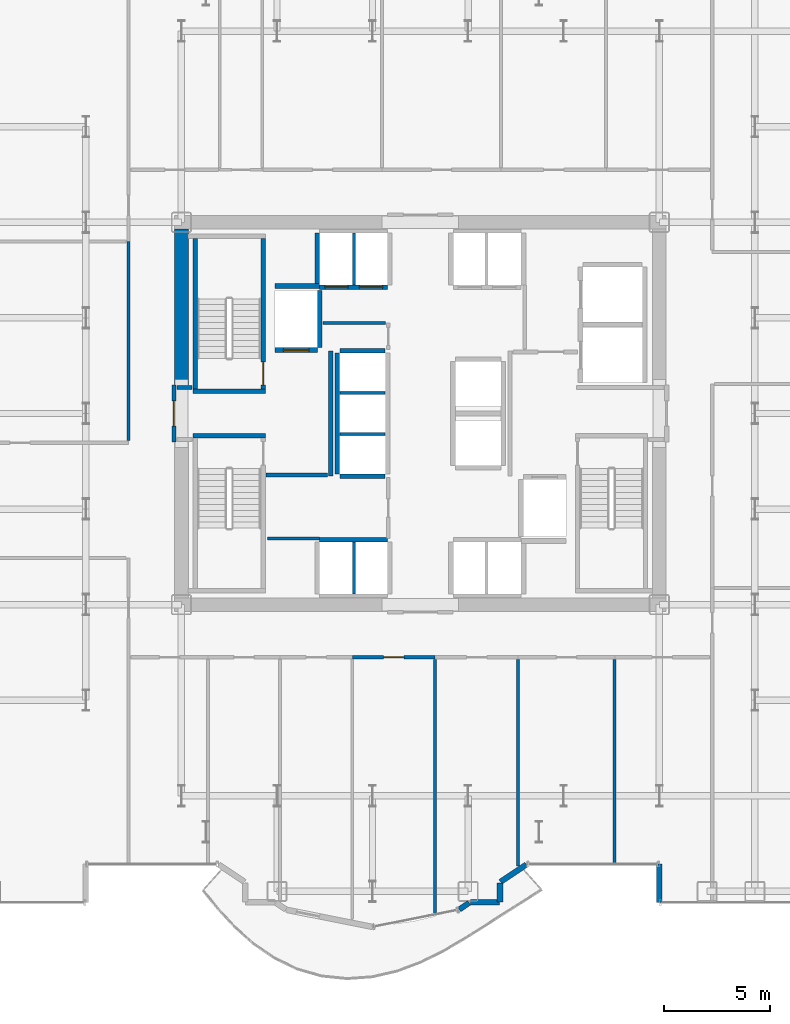
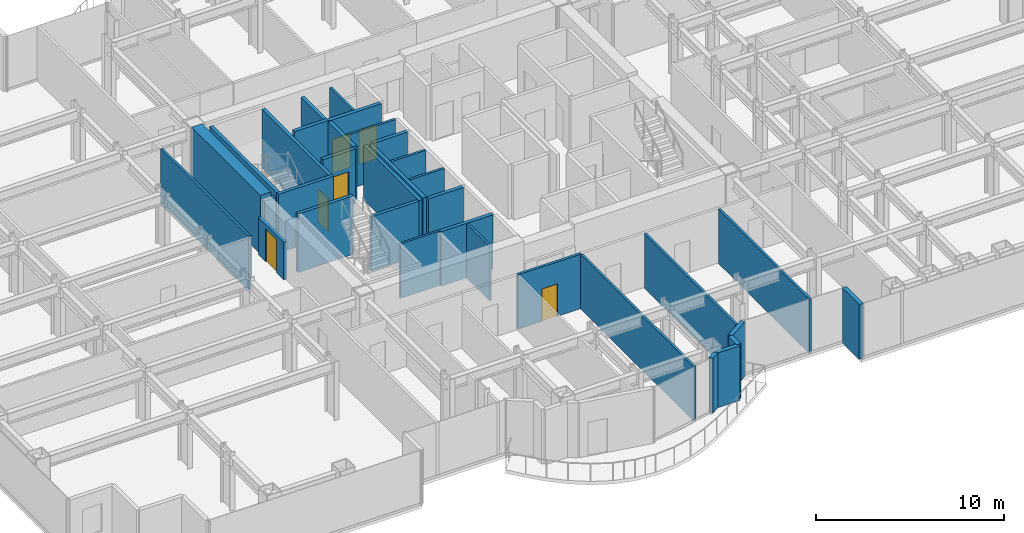
# One storey, part 23 of 29: 34 walls, 6 doors, 6 openings.
"""IFC4 building model written with IfcOpenShell, lengths in metres."""

from ifc_helpers import new_model, si_unit, direction, frame, frame_2d, origin, place, context, subcontext, project, spatial, rectangle, extrude, source, transform, mapped, material, layer, layer_set, type_object, element, fill, save


model = new_model("IFC4")

# Units and contexts
model_context = context("Model", 3, precision=1e-05, world=origin(), true_north=direction((0.0, 1.0)))
body_context = subcontext(model_context, "Body", "Model", "MODEL_VIEW")
ifc_project = project(units=[si_unit("LENGTHUNIT", "METRE"), si_unit("AREAUNIT", "SQUARE_METRE"), si_unit("VOLUMEUNIT", "CUBIC_METRE"), si_unit("PLANEANGLEUNIT", "RADIAN"), si_unit("MASSUNIT", "GRAM", prefix="KILO")], contexts=[model_context])

# Site, building, storey
site_placement = place(None, origin())
site = spatial("IfcSite", under=ifc_project, at=site_placement, CompositionType="ELEMENT")
building_placement = place(site_placement, origin())
building = spatial("IfcBuilding", under=site, at=building_placement, Name="Nefas-Gora Pilgrimage Tower", CompositionType="ELEMENT")
storey_placement = place(building_placement, frame((0.0, 0.0, 78.60009765625)))
storey = spatial("IfcBuildingStorey", under=building, at=storey_placement, Name="L18", CompositionType="ELEMENT", Elevation=78.60009765625)

# Walls
ifc_material_1 = material(Name="Concrete C60/75", Category="concrete")
ifc_layer_1 = layer(ifc_material_1, 0.64990234375)
ifc_layer_set_1 = layer_set([ifc_layer_1], Name="Concrete C60/75")
wall_type_1 = type_object("IfcWallType", Name="SW-CORE-650", PredefinedType="SHEAR", material=ifc_layer_set_1)
shared_shape_1 = source(origin(), body_context, "Body", "SweptSolid", [
    extrude(rectangle(XDim=7.324951171875, YDim=0.64990234375, at=frame_2d((3.66259765625, 0.0))), origin(), (0.0, 0.0, 1.0), 3.7998046875),
])
wall_1_placement = place(storey_placement, frame((-11.25, 1.35009765625, 0.0), z_axis=(0.0, 0.0, 1.0), x_axis=(0.0, 1.0, 0.0)))
element("IfcWall", 1, at=wall_1_placement, inside=storey, type_object=wall_type_1, Name="L18 Core Shear Wall W-North", PredefinedType="SHEAR", context=body_context, shape_type="MappedRepresentation", body=[
    mapped(shared_shape_1, transform((0.0, 0.0, 0.0), x_axis=(1.0, 0.0, 0.0), y_axis=(0.0, 1.0, 0.0), z_axis=(0.0, 0.0, 1.0), scale=1.0)),
])
ifc_material_2 = material(Name="Precast concrete C40/50", Category="concrete")
ifc_layer_2 = layer(ifc_material_2, 0.260009765625)
ifc_layer_set_2 = layer_set([ifc_layer_2], Name="Precast concrete C40/50")
wall_type_2 = type_object("IfcWallType", Name="EW-PORTAL-260", PredefinedType="SOLIDWALL", material=ifc_layer_set_2)
shared_shape_2 = source(origin(), body_context, "Body", "SweptSolid", [
    extrude(rectangle(XDim=1.800048828125, YDim=0.260009765625, at=frame_2d((0.89990234375, 0.0))), origin(), (0.0, 0.0, 1.0), 3.5498046875),
])
wall_2_placement = place(storey_placement, frame((11.25, -21.219970703125, 0.0), z_axis=(0.0, 0.0, 1.0), x_axis=(0.0, -1.0, 0.0)))
element("IfcWall", 2, at=wall_2_placement, inside=storey, type_object=wall_type_2, Name="L18 Lobe Shoulder Precast Spandrel Pier 5", PredefinedType="SOLIDWALL", context=body_context, shape_type="MappedRepresentation", body=[
    mapped(shared_shape_2, transform((0.0, 0.0, 0.0), x_axis=(1.0, 0.0, 0.0), y_axis=(0.0, 1.0, 0.0), z_axis=(0.0, 0.0, 1.0), scale=1.0)),
])
shared_shape_3 = source(origin(), body_context, "Body", "SweptSolid", [
    extrude(rectangle(XDim=1.468994140625, YDim=0.260009765625, at=frame_2d((0.734375, 0.0))), origin(), (0.0, 0.0, 1.0), 3.5498046875),
])
wall_3_placement = place(storey_placement, frame((3.773193359375, -22.0517578125, 0.0), z_axis=(0.0, 0.0, 1.0), x_axis=(0.831461760506, 0.555581983884, 0.0)))
element("IfcWall", 3, at=wall_3_placement, inside=storey, type_object=wall_type_2, Name="L18 Lobe Shoulder Precast Spandrel Pier 42", PredefinedType="SOLIDWALL", context=body_context, shape_type="MappedRepresentation", body=[
    mapped(shared_shape_3, transform((0.0, 0.0, 0.0), x_axis=(1.0, 0.0, 0.0), y_axis=(0.0, 1.0, 0.0), z_axis=(0.0, 0.0, 1.0), scale=1.0)),
])
shared_shape_4 = source(origin(), body_context, "Body", "SweptSolid", [
    extrude(rectangle(XDim=0.896728515625, YDim=0.260009765625, at=frame_2d((0.4482421875, 0.0))), origin(), (0.0, 0.0, 1.0), 3.5498046875),
])
wall_4_placement = place(storey_placement, frame((3.75, -22.991943359375, 0.0), z_axis=(0.0, 0.0, 1.0), x_axis=(0.0, 1.0, 0.0)))
element("IfcWall", 4, at=wall_4_placement, inside=storey, type_object=wall_type_2, Name="L18 Lobe Shoulder Precast Spandrel Pier 41", PredefinedType="SOLIDWALL", context=body_context, shape_type="MappedRepresentation", body=[
    mapped(shared_shape_4, transform((0.0, 0.0, 0.0), x_axis=(1.0, 0.0, 0.0), y_axis=(0.0, 1.0, 0.0), z_axis=(0.0, 0.0, 1.0), scale=1.0)),
])
shared_shape_5 = source(origin(), body_context, "Body", "SweptSolid", [
    extrude(rectangle(XDim=1.369873046875, YDim=0.260009765625, at=frame_2d((0.68505859375, 0.0))), origin(), (0.0, 0.0, 1.0), 3.5498046875),
])
wall_5_placement = place(storey_placement, frame((2.35205078125, -23.02001953125, 0.0), z_axis=(0.0, 0.0, 1.0), x_axis=(1.0, 0.0, 0.0)))
element("IfcWall", 5, at=wall_5_placement, inside=storey, type_object=wall_type_2, Name="L18 Lobe Shoulder Precast Spandrel Pier 40", PredefinedType="SOLIDWALL", context=body_context, shape_type="MappedRepresentation", body=[
    mapped(shared_shape_5, transform((0.0, 0.0, 0.0), x_axis=(1.0, 0.0, 0.0), y_axis=(0.0, 1.0, 0.0), z_axis=(0.0, 0.0, 1.0), scale=1.0)),
])
shared_shape_6 = source(origin(), body_context, "Body", "SweptSolid", [
    extrude(rectangle(XDim=0.5654296875, YDim=0.260009765625, at=frame_2d((0.28271484375, 0.0))), origin(), (0.0, 0.0, 1.0), 3.5498046875),
])
wall_6_placement = place(storey_placement, frame((1.83056640625, -23.349609375, 0.0), z_axis=(0.0, 0.0, 1.0), x_axis=(0.831651492666, 0.555297933317, 0.0)))
element("IfcWall", 6, at=wall_6_placement, inside=storey, type_object=wall_type_2, Name="L18 Lobe Shoulder Precast Spandrel Pier 39", PredefinedType="SOLIDWALL", context=body_context, shape_type="MappedRepresentation", body=[
    mapped(shared_shape_6, transform((0.0, 0.0, 0.0), x_axis=(1.0, 0.0, 0.0), y_axis=(0.0, 1.0, 0.0), z_axis=(0.0, 0.0, 1.0), scale=1.0)),
])
ifc_material_3 = material(Name="Concrete C45/55", Category="concrete")
ifc_layer_3 = layer(ifc_material_3, 0.199951171875)
ifc_layer_set_3 = layer_set([ifc_layer_3], Name="Concrete C45/55")
wall_type_3 = type_object("IfcWallType", Name="IW-STAIR-200", PredefinedType="SOLIDWALL", material=ifc_layer_set_3)
shared_shape_7 = source(origin(), body_context, "Body", "SweptSolid", [
    extrude(rectangle(XDim=3.39990234375, YDim=0.199951171875, at=frame_2d((1.699951171875, 0.0))), origin(), (0.0, 0.0, 1.0), 3.7998046875),
])
for number, where, z_axis, x_axis, name in (
    (7, (-7.300048828125, 1.050048828125, 0.0), (0.0, 0.0, 1.0), (-1.0, 0.0, 0.0), "L18 Stairwell Shear Wall ST-01-near"),
    (8, (-10.699951171875, -1.050048828125, 0.0), (0.0, 0.0, 1.0), (1.0, 0.0, 0.0), "L18 Stairwell Shear Wall ST-03-near"),
):
    element("IfcWall", number, at=place(storey_placement, frame(where, z_axis=z_axis, x_axis=x_axis)), inside=storey, type_object=wall_type_3, Name=name, PredefinedType="SOLIDWALL", context=body_context, shape_type="MappedRepresentation", body=[
        mapped(shared_shape_7, transform((0.0, 0.0, 0.0), x_axis=(1.0, 0.0, 0.0), y_axis=(0.0, 1.0, 0.0), z_axis=(0.0, 0.0, 1.0), scale=1.0)),
    ])

# Wall, opening, door
shared_shape_8 = source(origin(), body_context, "Body", "SweptSolid", [
    extrude(rectangle(XDim=7.10009765625, YDim=0.199951171875, at=frame_2d((3.550048828125, 0.0))), origin(), (0.0, 0.0, 1.0), 3.7998046875),
])
wall_7_placement = place(storey_placement, frame((-7.39990234375, 1.14990234375, 0.0), z_axis=(0.0, 0.0, 1.0), x_axis=(0.0, 1.0, 0.0)))
wall_7 = element("IfcWall", 9, at=wall_7_placement, inside=storey, type_object=wall_type_3, Name="L18 Stairwell Shear Wall ST-01-left", PredefinedType="SOLIDWALL", context=body_context, shape_type="MappedRepresentation", body=[
    mapped(shared_shape_8, transform((0.0, 0.0, 0.0), x_axis=(1.0, 0.0, 0.0), y_axis=(0.0, 1.0, 0.0), z_axis=(0.0, 0.0, 1.0), scale=1.0)),
])
opening_1_placement = place(wall_7_placement, frame((0.179931640625, 0.0, 0.0)))
opening_1 = element("IfcOpeningElement", 10, at=opening_1_placement, cuts=wall_7, Name="Opening ID-ST1", PredefinedType="OPENING", context=body_context, shape_type="SweptSolid", body=[
    extrude(rectangle(XDim=1.10009765625, YDim=2.14990234375, at=frame_2d((0.550048828125, 1.074951171875))), frame((0.0, 0.10986328125, 0.0), z_axis=(0.0, -1.0, 0.0), x_axis=(1.0, 0.0, 0.0)), (0.0, 0.0, 1.0), 0.219970703125),
])
ifc_material_4 = material(Name="Painted galvanised steel fire stair door", Category="steel")
door_type_1 = type_object("IfcDoorType", Name="DR-INT-STAIR-1100", OperationType="NOTDEFINED", PredefinedType="DOOR", material=ifc_material_4)
shared_shape_9 = source(origin(), body_context, "Body", "SweptSolid", [
    extrude(rectangle(XDim=1.10009765625, YDim=2.14990234375, at=frame_2d((0.550048828125, 1.074951171875))), frame((0.0, 0.02490234375, 0.0), z_axis=(0.0, -1.0, 0.0), x_axis=(1.0, 0.0, 0.0)), (0.0, 0.0, 1.0), 0.050048828125),
])
door_1_placement = place(opening_1_placement, origin())
door_1 = element("IfcDoor", 11, at=door_1_placement, inside=storey, type_object=door_type_1, Name="L18 Protected Exit Stair Door ST-01", OperationType="SINGLE_SWING_RIGHT", OverallHeight=2.14990234375, OverallWidth=1.10009765625, PredefinedType="DOOR", context=body_context, shape_type="MappedRepresentation", body=[
    mapped(shared_shape_9, transform((0.0, 0.0, 0.0), x_axis=(1.0, 0.0, 0.0), y_axis=(0.0, 1.0, 0.0), z_axis=(0.0, 0.0, 1.0), scale=1.0)),
])
fill(opening_1, door_1)

# Wall
wall_8_placement = place(storey_placement, frame((-10.60009765625, 1.14990234375, 0.0), z_axis=(0.0, 0.0, 1.0), x_axis=(0.0, 1.0, 0.0)))
element("IfcWall", 12, at=wall_8_placement, inside=storey, type_object=wall_type_3, Name="L18 Stairwell Shear Wall ST-01-right", PredefinedType="SOLIDWALL", context=body_context, shape_type="MappedRepresentation", body=[
    mapped(shared_shape_8, transform((0.0, 0.0, 0.0), x_axis=(1.0, 0.0, 0.0), y_axis=(0.0, 1.0, 0.0), z_axis=(0.0, 0.0, 1.0), scale=1.0)),
])

# Wall, opening, door
ifc_material_5 = material(Name="Concrete C40/50", Category="concrete")
ifc_layer_4 = layer(ifc_material_5, 0.219970703125)
ifc_layer_set_4 = layer_set([ifc_layer_4], Name="Concrete C40/50")
wall_type_4 = type_object("IfcWallType", Name="IW-SHAFT-220", PredefinedType="SOLIDWALL", material=ifc_layer_set_4)
shared_shape_10 = source(origin(), body_context, "Body", "SweptSolid", [
    extrude(rectangle(XDim=2.0, YDim=0.219970703125, at=frame_2d((1.0, 0.0))), origin(), (0.0, 0.0, 1.0), 3.534912109375),
])
wall_9_placement = place(storey_placement, frame((-6.85009765625, 2.989990234375, 0.0), z_axis=(0.0, 0.0, 1.0), x_axis=(1.0, 0.0, 0.0)))
wall_9 = element("IfcWall", 13, at=wall_9_placement, inside=storey, type_object=wall_type_4, Name="L18 Hoistway Wall FFL-01-S", PredefinedType="SOLIDWALL", context=body_context, shape_type="MappedRepresentation", body=[
    mapped(shared_shape_10, transform((0.0, 0.0, 0.0), x_axis=(1.0, 0.0, 0.0), y_axis=(0.0, 1.0, 0.0), z_axis=(0.0, 0.0, 1.0), scale=1.0)),
])
opening_2_placement = place(wall_9_placement, frame((0.39990234375, 0.0, 0.0)))
opening_2 = element("IfcOpeningElement", 14, at=opening_2_placement, cuts=wall_9, Name="Opening LD-FF", PredefinedType="OPENING", context=body_context, shape_type="SweptSolid", body=[
    extrude(rectangle(XDim=1.199951171875, YDim=2.199951171875, at=frame_2d((0.60009765625, 1.10009765625))), frame((0.0, 0.119873046875, 0.0), z_axis=(0.0, -1.0, 0.0), x_axis=(1.0, 0.0, 0.0)), (0.0, 0.0, 1.0), 0.239990234375),
])
ifc_material_6 = material(Name="Fire-service sliding lift landing door")
door_type_2 = type_object("IfcDoorType", Name="DR-LIFT-FSAE-1200", OperationType="SLIDING_TO_LEFT", PredefinedType="DOOR", material=ifc_material_6)
shared_shape_11 = source(origin(), body_context, "Body", "SweptSolid", [
    extrude(rectangle(XDim=1.199951171875, YDim=2.199951171875, at=frame_2d((0.60009765625, 1.10009765625))), frame((0.0, 0.02490234375, 0.0), z_axis=(0.0, -1.0, 0.0), x_axis=(1.0, 0.0, 0.0)), (0.0, 0.0, 1.0), 0.050048828125),
])
door_2_placement = place(opening_2_placement, origin())
door_2 = element("IfcDoor", 15, at=door_2_placement, inside=storey, type_object=door_type_2, Name="L18 Sliding Lift Landing Door FFL-01", OperationType="SLIDING_TO_LEFT", OverallHeight=2.199951171875, OverallWidth=1.199951171875, PredefinedType="DOOR", context=body_context, shape_type="MappedRepresentation", body=[
    mapped(shared_shape_11, transform((0.0, 0.0, 0.0), x_axis=(1.0, 0.0, 0.0), y_axis=(0.0, 1.0, 0.0), z_axis=(0.0, 0.0, 1.0), scale=1.0)),
])
fill(opening_2, door_2)

# Wall
shared_shape_12 = source(origin(), body_context, "Body", "SweptSolid", [
    extrude(rectangle(XDim=2.679931640625, YDim=0.219970703125, at=frame_2d((1.33984375, 0.0))), origin(), (0.0, 0.0, 1.0), 3.534912109375),
])
wall_10_placement = place(storey_placement, frame((-4.739990234375, 3.110107421875, 0.0), z_axis=(0.0, 0.0, 1.0), x_axis=(0.0, 1.0, 0.0)))
element("IfcWall", 16, at=wall_10_placement, inside=storey, type_object=wall_type_4, Name="L18 Hoistway Wall FFL-01-E", PredefinedType="SOLIDWALL", context=body_context, shape_type="MappedRepresentation", body=[
    mapped(shared_shape_12, transform((0.0, 0.0, 0.0), x_axis=(1.0, 0.0, 0.0), y_axis=(0.0, 1.0, 0.0), z_axis=(0.0, 0.0, 1.0), scale=1.0)),
])

# Wall, openings, doors
shared_shape_13 = source(origin(), body_context, "Body", "SweptSolid", [
    extrude(rectangle(XDim=3.199951171875, YDim=0.219970703125, at=frame_2d((1.60009765625, 0.0))), origin(), (0.0, 0.0, 1.0), 3.534912109375),
])
wall_11_placement = place(storey_placement, frame((-4.75, 5.93994140625, 0.0), z_axis=(0.0, 0.0, 1.0), x_axis=(1.0, 0.0, 0.0)))
wall_11 = element("IfcWall", 17, at=wall_11_placement, inside=storey, type_object=wall_type_4, Name="L18 Hoistway Wall PL1-W-S", PredefinedType="SOLIDWALL", context=body_context, shape_type="MappedRepresentation", body=[
    mapped(shared_shape_13, transform((0.0, 0.0, 0.0), x_axis=(1.0, 0.0, 0.0), y_axis=(0.0, 1.0, 0.0), z_axis=(0.0, 0.0, 1.0), scale=1.0)),
])
opening_3_placement = place(wall_11_placement, frame((0.25, 0.0, 0.0)))
opening_3 = element("IfcOpeningElement", 18, at=opening_3_placement, cuts=wall_11, Name="Opening LD-01", PredefinedType="OPENING", context=body_context, shape_type="SweptSolid", body=[
    extrude(rectangle(XDim=1.10009765625, YDim=2.199951171875, at=frame_2d((0.550048828125, 1.10009765625))), frame((0.0, 0.119873046875, 0.0), z_axis=(0.0, -1.0, 0.0), x_axis=(1.0, 0.0, 0.0)), (0.0, 0.0, 1.0), 0.239990234375),
])
opening_4_placement = place(wall_11_placement, frame((1.875, 0.0, 0.0)))
opening_4 = element("IfcOpeningElement", 19, at=opening_4_placement, cuts=wall_11, Name="Opening LD-01", PredefinedType="OPENING", context=body_context, shape_type="SweptSolid", body=[
    extrude(rectangle(XDim=1.10009765625, YDim=2.199951171875, at=frame_2d((0.550048828125, 1.10009765625))), frame((0.0, 0.119873046875, 0.0), z_axis=(0.0, -1.0, 0.0), x_axis=(1.0, 0.0, 0.0)), (0.0, 0.0, 1.0), 0.239990234375),
])
ifc_material_7 = material(Name="Brushed stainless sliding lift landing door")
door_type_3 = type_object("IfcDoorType", Name="DR-LIFT-PASS-1100", OperationType="DOUBLE_DOOR_SLIDING", PredefinedType="DOOR", material=ifc_material_7)
shared_shape_14 = source(origin(), body_context, "Body", "SweptSolid", [
    extrude(rectangle(XDim=1.10009765625, YDim=2.199951171875, at=frame_2d((0.550048828125, 1.10009765625))), frame((0.0, 0.02490234375, 0.0), z_axis=(0.0, -1.0, 0.0), x_axis=(1.0, 0.0, 0.0)), (0.0, 0.0, 1.0), 0.050048828125),
])
door_3_placement = place(opening_3_placement, origin())
door_3 = element("IfcDoor", 20, at=door_3_placement, inside=storey, type_object=door_type_3, Name="L18 Sliding Lift Landing Door PL1-01", OperationType="DOUBLE_DOOR_SLIDING", OverallHeight=2.199951171875, OverallWidth=1.10009765625, PredefinedType="DOOR", context=body_context, shape_type="MappedRepresentation", body=[
    mapped(shared_shape_14, transform((0.0, 0.0, 0.0), x_axis=(1.0, 0.0, 0.0), y_axis=(0.0, 1.0, 0.0), z_axis=(0.0, 0.0, 1.0), scale=1.0)),
])
fill(opening_3, door_3)
door_4_placement = place(opening_4_placement, origin())
door_4 = element("IfcDoor", 21, at=door_4_placement, inside=storey, type_object=door_type_3, Name="L18 Sliding Lift Landing Door PL1-02", OperationType="DOUBLE_DOOR_SLIDING", OverallHeight=2.199951171875, OverallWidth=1.10009765625, PredefinedType="DOOR", context=body_context, shape_type="MappedRepresentation", body=[
    mapped(shared_shape_14, transform((0.0, 0.0, 0.0), x_axis=(1.0, 0.0, 0.0), y_axis=(0.0, 1.0, 0.0), z_axis=(0.0, 0.0, 1.0), scale=1.0)),
])
fill(opening_4, door_4)

# Walls
wall_12_placement = place(storey_placement, frame((-1.550048828125, -5.93994140625, 0.0), z_axis=(0.0, 0.0, 1.0), x_axis=(-1.0, 0.0, 0.0)))
element("IfcWall", 22, at=wall_12_placement, inside=storey, type_object=wall_type_4, Name="L18 Hoistway Wall PL2-W-N", PredefinedType="SOLIDWALL", context=body_context, shape_type="MappedRepresentation", body=[
    mapped(shared_shape_13, transform((0.0, 0.0, 0.0), x_axis=(1.0, 0.0, 0.0), y_axis=(0.0, 1.0, 0.0), z_axis=(0.0, 0.0, 1.0), scale=1.0)),
])
shared_shape_15 = source(origin(), body_context, "Body", "SweptSolid", [
    extrude(rectangle(XDim=2.429931640625, YDim=0.219970703125, at=frame_2d((1.21484375, 0.0))), origin(), (0.0, 0.0, 1.0), 3.534912109375),
])
wall_13_placement = place(storey_placement, frame((-4.860107421875, 8.489990234375, 0.0), z_axis=(0.0, 0.0, 1.0), x_axis=(0.0, -1.0, 0.0)))
element("IfcWall", 23, at=wall_13_placement, inside=storey, type_object=wall_type_4, Name="L18 Hoistway Wall PL1-W-W", PredefinedType="SOLIDWALL", context=body_context, shape_type="MappedRepresentation", body=[
    mapped(shared_shape_15, transform((0.0, 0.0, 0.0), x_axis=(1.0, 0.0, 0.0), y_axis=(0.0, 1.0, 0.0), z_axis=(0.0, 0.0, 1.0), scale=1.0)),
])
ifc_material_8 = material(Name="Gypsum twin-stud partition")
ifc_layer_5 = layer(ifc_material_8, 0.139892578125)
ifc_layer_set_5 = layer_set([ifc_layer_5], Name="Gypsum twin-stud partition")
wall_type_5 = type_object("IfcWallType", Name="IW-UNIT-140", PredefinedType="PARTITIONING", material=ifc_layer_set_5)
shared_shape_16 = source(origin(), body_context, "Body", "SweptSolid", [
    extrude(rectangle(XDim=2.429931640625, YDim=0.139892578125, at=frame_2d((1.21484375, 0.0))), origin(), (0.0, 0.0, 1.0), 3.534912109375),
])
for number, where, z_axis, x_axis, name in (
    (24, (-3.125, 6.06005859375, 0.0), (0.0, 0.0, 1.0), (0.0, 1.0, 0.0), "L18 Hoistway Wall PL1-W-DIV"),
    (25, (-3.125, -8.489990234375, 0.0), (0.0, 0.0, 1.0), (0.0, 1.0, 0.0), "L18 Hoistway Wall PL2-W-DIV"),
):
    element("IfcWall", number, at=place(storey_placement, frame(where, z_axis=z_axis, x_axis=x_axis)), inside=storey, type_object=wall_type_5, Name=name, PredefinedType="PARTITIONING", context=body_context, shape_type="MappedRepresentation", body=[
        mapped(shared_shape_16, transform((0.0, 0.0, 0.0), x_axis=(1.0, 0.0, 0.0), y_axis=(0.0, 1.0, 0.0), z_axis=(0.0, 0.0, 1.0), scale=1.0)),
    ])
shared_shape_17 = source(origin(), body_context, "Body", "SweptSolid", [
    extrude(rectangle(XDim=5.7001953125, YDim=0.219970703125, at=frame_2d((2.85009765625, 0.0))), origin(), (0.0, 0.0, 1.0), 3.534912109375),
])
wall_14_placement = place(storey_placement, frame((-3.909912109375, 2.85009765625, 0.0), z_axis=(0.0, 0.0, 1.0), x_axis=(0.0, -1.0, 0.0)))
element("IfcWall", 26, at=wall_14_placement, inside=storey, type_object=wall_type_4, Name="L18 Hoistway Wall PL3-01-03-W", PredefinedType="SOLIDWALL", context=body_context, shape_type="MappedRepresentation", body=[
    mapped(shared_shape_17, transform((0.0, 0.0, 0.0), x_axis=(1.0, 0.0, 0.0), y_axis=(0.0, 1.0, 0.0), z_axis=(0.0, 0.0, 1.0), scale=1.0)),
])
shared_shape_18 = source(origin(), body_context, "Body", "SweptSolid", [
    extrude(rectangle(XDim=2.130126953125, YDim=0.219970703125, at=frame_2d((1.06494140625, 0.0))), origin(), (0.0, 0.0, 1.0), 3.534912109375),
])
for number, where, z_axis, x_axis, name in (
    (27, (-3.7900390625, -2.9599609375, 0.0), (0.0, 0.0, 1.0), (1.0, 0.0, 0.0), "L18 Hoistway Wall PL3-01-S"),
    (28, (-1.659912109375, 2.9599609375, 0.0), (0.0, 0.0, 1.0), (-1.0, 0.0, 0.0), "L18 Hoistway Wall PL3-03-N"),
):
    element("IfcWall", number, at=place(storey_placement, frame(where, z_axis=z_axis, x_axis=x_axis)), inside=storey, type_object=wall_type_4, Name=name, PredefinedType="SOLIDWALL", context=body_context, shape_type="MappedRepresentation", body=[
        mapped(shared_shape_18, transform((0.0, 0.0, 0.0), x_axis=(1.0, 0.0, 0.0), y_axis=(0.0, 1.0, 0.0), z_axis=(0.0, 0.0, 1.0), scale=1.0)),
    ])
shared_shape_19 = source(origin(), body_context, "Body", "SweptSolid", [
    extrude(rectangle(XDim=2.130126953125, YDim=0.139892578125, at=frame_2d((1.06494140625, 0.0))), origin(), (0.0, 0.0, 1.0), 3.534912109375),
])
for number, where, z_axis, x_axis, name in (
    (29, (-3.7900390625, -0.97509765625, 0.0), (0.0, 0.0, 1.0), (1.0, 0.0, 0.0), "L18 Hoistway Wall PL3-01-02-DIV"),
    (30, (-3.7900390625, 0.97509765625, 0.0), (0.0, 0.0, 1.0), (1.0, 0.0, 0.0), "L18 Hoistway Wall PL3-02-03-DIV"),
):
    element("IfcWall", number, at=place(storey_placement, frame(where, z_axis=z_axis, x_axis=x_axis)), inside=storey, type_object=wall_type_5, Name=name, PredefinedType="PARTITIONING", context=body_context, shape_type="MappedRepresentation", body=[
        mapped(shared_shape_19, transform((0.0, 0.0, 0.0), x_axis=(1.0, 0.0, 0.0), y_axis=(0.0, 1.0, 0.0), z_axis=(0.0, 0.0, 1.0), scale=1.0)),
    ])
shared_shape_20 = source(origin(), body_context, "Body", "SweptSolid", [
    extrude(rectangle(XDim=2.09521484375, YDim=0.219970703125, at=frame_2d((1.047607421875, 0.0))), origin(), (0.0, 0.0, 1.0), 3.534912109375),
])
wall_15_placement = place(storey_placement, frame((-6.85009765625, 6.0, 0.0), z_axis=(0.0, 0.0, 1.0), x_axis=(1.0, 0.0, 0.0)))
element("IfcWall", 31, at=wall_15_placement, inside=storey, type_object=wall_type_4, Name="L18 Riser Shaft Wall 1", PredefinedType="SOLIDWALL", context=body_context, shape_type="MappedRepresentation", body=[
    mapped(shared_shape_20, transform((0.0, 0.0, 0.0), x_axis=(1.0, 0.0, 0.0), y_axis=(0.0, 1.0, 0.0), z_axis=(0.0, 0.0, 1.0), scale=1.0)),
])
ifc_material_9 = material(Name="Gypsum fire-rated shaftwall")
ifc_layer_6 = layer(ifc_material_9, 0.199951171875)
ifc_layer_set_6 = layer_set([ifc_layer_6], Name="Gypsum fire-rated shaftwall")
wall_type_6 = type_object("IfcWallType", Name="IW-FFLOB-200", PredefinedType="PARTITIONING", material=ifc_layer_set_6)
shared_shape_21 = source(origin(), body_context, "Body", "SweptSolid", [
    extrude(rectangle(XDim=5.89990234375, YDim=0.199951171875, at=frame_2d((2.949951171875, 0.0))), origin(), (0.0, 0.0, 1.0), 3.534912109375),
])
wall_16_placement = place(storey_placement, frame((-4.219970703125, -2.949951171875, 0.0), z_axis=(0.0, 0.0, 1.0), x_axis=(0.0, 1.0, 0.0)))
element("IfcWall", 32, at=wall_16_placement, inside=storey, type_object=wall_type_6, Name="L18 FF Lobby West Inner Wall Wall 4", PredefinedType="PARTITIONING", context=body_context, shape_type="MappedRepresentation", body=[
    mapped(shared_shape_21, transform((0.0, 0.0, 0.0), x_axis=(1.0, 0.0, 0.0), y_axis=(0.0, 1.0, 0.0), z_axis=(0.0, 0.0, 1.0), scale=1.0)),
])
shared_shape_22 = source(origin(), body_context, "Body", "SweptSolid", [
    extrude(rectangle(XDim=2.89990234375, YDim=0.199951171875, at=frame_2d((1.449951171875, 0.0))), origin(), (0.0, 0.0, 1.0), 3.534912109375),
])
wall_17_placement = place(storey_placement, frame((-7.260009765625, -2.89990234375, 0.0), z_axis=(0.0, 0.0, 1.0), x_axis=(1.0, 0.0, 0.0)))
element("IfcWall", 33, at=wall_17_placement, inside=storey, type_object=wall_type_6, Name="L18 FF Lobby West South Wall Wall 5", PredefinedType="PARTITIONING", context=body_context, shape_type="MappedRepresentation", body=[
    mapped(shared_shape_22, transform((0.0, 0.0, 0.0), x_axis=(1.0, 0.0, 0.0), y_axis=(0.0, 1.0, 0.0), z_axis=(0.0, 0.0, 1.0), scale=1.0)),
])
shared_shape_23 = source(origin(), body_context, "Body", "SweptSolid", [
    extrude(rectangle(XDim=0.719970703125, YDim=0.199951171875, at=frame_2d((0.35986328125, 0.0))), origin(), (0.0, 0.0, 1.0), 3.534912109375),
])
wall_18_placement = place(storey_placement, frame((-11.4599609375, 1.219970703125, 0.0), z_axis=(0.0, 0.0, 1.0), x_axis=(1.0, 0.0, 0.0)))
element("IfcWall", 34, at=wall_18_placement, inside=storey, type_object=wall_type_6, Name="L18 FF Lobby West Throat N Wall 6", PredefinedType="PARTITIONING", context=body_context, shape_type="MappedRepresentation", body=[
    mapped(shared_shape_23, transform((0.0, 0.0, 0.0), x_axis=(1.0, 0.0, 0.0), y_axis=(0.0, 1.0, 0.0), z_axis=(0.0, 0.0, 1.0), scale=1.0)),
])
shared_shape_24 = source(origin(), body_context, "Body", "SweptSolid", [
    extrude(rectangle(XDim=2.9501953125, YDim=0.139892578125, at=frame_2d((1.47509765625, 0.0))), origin(), (0.0, 0.0, 1.0), 3.534912109375),
])
wall_19_placement = place(storey_placement, frame((-4.590087890625, 4.25, 0.0), z_axis=(0.0, 0.0, 1.0), x_axis=(1.0, 0.0, 0.0)))
element("IfcWall", 35, at=wall_19_placement, inside=storey, type_object=wall_type_5, Name="L18 Housekeeping and Linen Store Partition Wall 21", PredefinedType="PARTITIONING", context=body_context, shape_type="MappedRepresentation", body=[
    mapped(shared_shape_24, transform((0.0, 0.0, 0.0), x_axis=(1.0, 0.0, 0.0), y_axis=(0.0, 1.0, 0.0), z_axis=(0.0, 0.0, 1.0), scale=1.0)),
])
shared_shape_25 = source(origin(), body_context, "Body", "SweptSolid", [
    extrude(rectangle(XDim=2.43505859375, YDim=0.139892578125, at=frame_2d((1.217529296875, 0.0))), origin(), (0.0, 0.0, 1.0), 3.534912109375),
])
wall_20_placement = place(storey_placement, frame((-7.18994140625, -5.8798828125, 0.0), z_axis=(0.0, 0.0, 1.0), x_axis=(1.0, 0.0, 0.0)))
element("IfcWall", 36, at=wall_20_placement, inside=storey, type_object=wall_type_5, Name="L18 Pilgrim Baggage and Gear Vault Partition Wall 23", PredefinedType="PARTITIONING", context=body_context, shape_type="MappedRepresentation", body=[
    mapped(shared_shape_25, transform((0.0, 0.0, 0.0), x_axis=(1.0, 0.0, 0.0), y_axis=(0.0, 1.0, 0.0), z_axis=(0.0, 0.0, 1.0), scale=1.0)),
])
shared_shape_26 = source(origin(), body_context, "Body", "SweptSolid", [
    extrude(rectangle(XDim=9.64990234375, YDim=0.139892578125, at=frame_2d((4.824951171875, 0.0))), origin(), (0.0, 0.0, 1.0), 3.534912109375),
])
wall_21_placement = place(storey_placement, frame((9.14990234375, -21.239990234375, 0.0), z_axis=(0.0, 0.0, 1.0), x_axis=(0.0, 1.0, 0.0)))
element("IfcWall", 37, at=wall_21_placement, inside=storey, type_object=wall_type_5, Name="L18 Pilgrim Contemplative Lounge Partition Wall 63", PredefinedType="PARTITIONING", context=body_context, shape_type="MappedRepresentation", body=[
    mapped(shared_shape_26, transform((0.0, 0.0, 0.0), x_axis=(1.0, 0.0, 0.0), y_axis=(0.0, 1.0, 0.0), z_axis=(0.0, 0.0, 1.0), scale=1.0)),
])

# Wall, opening, door
shared_shape_27 = source(origin(), body_context, "Body", "SweptSolid", [
    extrude(rectangle(XDim=2.7001953125, YDim=0.199951171875, at=frame_2d((1.35009765625, 0.0))), origin(), (0.0, 0.0, 1.0), 2.4248046875),
])
wall_22_placement = place(storey_placement, frame((-11.60009765625, -1.35009765625, 0.0), z_axis=(0.0, 0.0, 1.0), x_axis=(0.0, 1.0, 0.0)))
wall_22 = element("IfcWall", 38, at=wall_22_placement, inside=storey, type_object=wall_type_6, Name="L18 FF Lobby West Portal Wall 3", PredefinedType="PARTITIONING", context=body_context, shape_type="MappedRepresentation", body=[
    mapped(shared_shape_27, transform((0.0, 0.0, 0.0), x_axis=(1.0, 0.0, 0.0), y_axis=(0.0, 1.0, 0.0), z_axis=(0.0, 0.0, 1.0), scale=1.0)),
])
opening_5_placement = place(wall_22_placement, frame((0.75, 0.0, 0.0)))
opening_5 = element("IfcOpeningElement", 39, at=opening_5_placement, cuts=wall_22, Name="Opening ID-FF1", PredefinedType="OPENING", context=body_context, shape_type="SweptSolid", body=[
    extrude(rectangle(XDim=1.199951171875, YDim=2.14990234375, at=frame_2d((0.60009765625, 1.074951171875))), frame((0.0, 0.10986328125, 0.0), z_axis=(0.0, -1.0, 0.0), x_axis=(1.0, 0.0, 0.0)), (0.0, 0.0, 1.0), 0.219970703125),
])
ifc_material_10 = material(Name="Smoke-sealed steel firefighting lobby door", Category="steel")
door_type_4 = type_object("IfcDoorType", Name="DR-INT-FFLOB-1200", OperationType="NOTDEFINED", PredefinedType="DOOR", material=ifc_material_10)
shared_shape_28 = source(origin(), body_context, "Body", "SweptSolid", [
    extrude(rectangle(XDim=1.199951171875, YDim=2.14990234375, at=frame_2d((0.60009765625, 1.074951171875))), frame((0.0, 0.02490234375, 0.0), z_axis=(0.0, -1.0, 0.0), x_axis=(1.0, 0.0, 0.0)), (0.0, 0.0, 1.0), 0.050048828125),
])
door_5_placement = place(opening_5_placement, origin())
door_5 = element("IfcDoor", 40, at=door_5_placement, inside=storey, type_object=door_type_4, Name="L18 FF Lobby West Portal Door 1", OperationType="SINGLE_SWING_RIGHT", OverallHeight=2.14990234375, OverallWidth=1.199951171875, PredefinedType="DOOR", context=body_context, shape_type="MappedRepresentation", body=[
    mapped(shared_shape_28, transform((0.0, 0.0, 0.0), x_axis=(1.0, 0.0, 0.0), y_axis=(0.0, 1.0, 0.0), z_axis=(0.0, 0.0, 1.0), scale=1.0)),
])
fill(opening_5, door_5)

# Wall
shared_shape_29 = source(origin(), body_context, "Body", "SweptSolid", [
    extrude(rectangle(XDim=9.347412109375, YDim=0.139892578125, at=frame_2d((4.673828125, 0.0))), origin(), (0.0, 0.0, 1.0), 3.534912109375),
])
wall_23_placement = place(storey_placement, frame((-13.739990234375, -1.260009765625, 0.0), z_axis=(0.0, 0.0, 1.0), x_axis=(0.0, 1.0, 0.0)))
element("IfcWall", 41, at=wall_23_placement, inside=storey, type_object=wall_type_5, Name="L18 Pilgrim Devotional Prayer Gallery Partition Wall 32", PredefinedType="PARTITIONING", context=body_context, shape_type="MappedRepresentation", body=[
    mapped(shared_shape_29, transform((0.0, 0.0, 0.0), x_axis=(1.0, 0.0, 0.0), y_axis=(0.0, 1.0, 0.0), z_axis=(0.0, 0.0, 1.0), scale=1.0)),
])

# Wall, opening, door
ifc_material_11 = material(Name="Gypsum acoustic stud partition")
ifc_layer_7 = layer(ifc_material_11, 0.159912109375)
ifc_layer_set_7 = layer_set([ifc_layer_7], Name="Gypsum acoustic stud partition")
wall_type_7 = type_object("IfcWallType", Name="IW-CORR-160", PredefinedType="PARTITIONING", material=ifc_layer_set_7)
shared_shape_30 = source(origin(), body_context, "Body", "SweptSolid", [
    extrude(rectangle(XDim=3.905029296875, YDim=0.159912109375, at=frame_2d((1.95263671875, 0.0))), origin(), (0.0, 0.0, 1.0), 3.534912109375),
])
wall_24_placement = place(storey_placement, frame((-3.205078125, -11.469970703125, 0.0), z_axis=(0.0, 0.0, 1.0), x_axis=(1.0, 0.0, 0.0)))
wall_24 = element("IfcWall", 42, at=wall_24_placement, inside=storey, type_object=wall_type_7, Name="L18 Pilgrim Contemplative Lounge Partition Wall 58", PredefinedType="PARTITIONING", context=body_context, shape_type="MappedRepresentation", body=[
    mapped(shared_shape_30, transform((0.0, 0.0, 0.0), x_axis=(1.0, 0.0, 0.0), y_axis=(0.0, 1.0, 0.0), z_axis=(0.0, 0.0, 1.0), scale=1.0)),
])
opening_6_placement = place(wall_24_placement, frame((1.4775390625, 0.0, 0.0)))
opening_6 = element("IfcOpeningElement", 43, at=opening_6_placement, cuts=wall_24, Name="Opening ID-GR1", PredefinedType="OPENING", context=body_context, shape_type="SweptSolid", body=[
    extrude(rectangle(XDim=0.949951171875, YDim=2.10009765625, at=frame_2d((0.47509765625, 1.050048828125))), frame((0.0, 0.08984375, 0.0), z_axis=(0.0, -1.0, 0.0), x_axis=(1.0, 0.0, 0.0)), (0.0, 0.0, 1.0), 0.179931640625),
])
ifc_material_12 = material(Name="Solid core oak fire-rated guest entrance door")
door_type_5 = type_object("IfcDoorType", Name="DR-INT-GUEST-950", OperationType="NOTDEFINED", PredefinedType="DOOR", material=ifc_material_12)
shared_shape_31 = source(origin(), body_context, "Body", "SweptSolid", [
    extrude(rectangle(XDim=0.949951171875, YDim=2.10009765625, at=frame_2d((0.47509765625, 1.050048828125))), frame((0.0, 0.02490234375, 0.0), z_axis=(0.0, -1.0, 0.0), x_axis=(1.0, 0.0, 0.0)), (0.0, 0.0, 1.0), 0.050048828125),
])
door_6_placement = place(opening_6_placement, origin())
door_6 = element("IfcDoor", 44, at=door_6_placement, inside=storey, type_object=door_type_5, Name="L18 Pilgrim Contemplative Lounge Door 27", OperationType="SINGLE_SWING_RIGHT", OverallHeight=2.10009765625, OverallWidth=0.949951171875, PredefinedType="DOOR", context=body_context, shape_type="MappedRepresentation", body=[
    mapped(shared_shape_31, transform((0.0, 0.0, 0.0), x_axis=(1.0, 0.0, 0.0), y_axis=(0.0, 1.0, 0.0), z_axis=(0.0, 0.0, 1.0), scale=1.0)),
])
fill(opening_6, door_6)

# Walls
shared_shape_32 = source(origin(), body_context, "Body", "SweptSolid", [
    extrude(rectangle(XDim=12.017822265625, YDim=0.139892578125, at=frame_2d((6.0087890625, 0.0))), origin(), (0.0, 0.0, 1.0), 3.534912109375),
])
wall_25_placement = place(storey_placement, frame((0.68994140625, -23.60791015625, 0.0), z_axis=(0.0, 0.0, 1.0), x_axis=(0.0, 1.0, 0.0)))
element("IfcWall", 45, at=wall_25_placement, inside=storey, type_object=wall_type_5, Name="L18 Pilgrim Contemplative Lounge Partition Wall 59", PredefinedType="PARTITIONING", context=body_context, shape_type="MappedRepresentation", body=[
    mapped(shared_shape_32, transform((0.0, 0.0, 0.0), x_axis=(1.0, 0.0, 0.0), y_axis=(0.0, 1.0, 0.0), z_axis=(0.0, 0.0, 1.0), scale=1.0)),
])
shared_shape_33 = source(origin(), body_context, "Body", "SweptSolid", [
    extrude(rectangle(XDim=9.71044921875, YDim=0.139892578125, at=frame_2d((4.855224609375, 0.0))), origin(), (0.0, 0.0, 1.0), 3.534912109375),
])
wall_26_placement = place(storey_placement, frame((4.594970703125, -21.300537109375, 0.0), z_axis=(0.0, 0.0, 1.0), x_axis=(0.0, 1.0, 0.0)))
element("IfcWall", 46, at=wall_26_placement, inside=storey, type_object=wall_type_5, Name="L18 Pilgrim Contemplative Lounge Partition Wall 61", PredefinedType="PARTITIONING", context=body_context, shape_type="MappedRepresentation", body=[
    mapped(shared_shape_33, transform((0.0, 0.0, 0.0), x_axis=(1.0, 0.0, 0.0), y_axis=(0.0, 1.0, 0.0), z_axis=(0.0, 0.0, 1.0), scale=1.0)),
])

save(model, "model.ifc")
